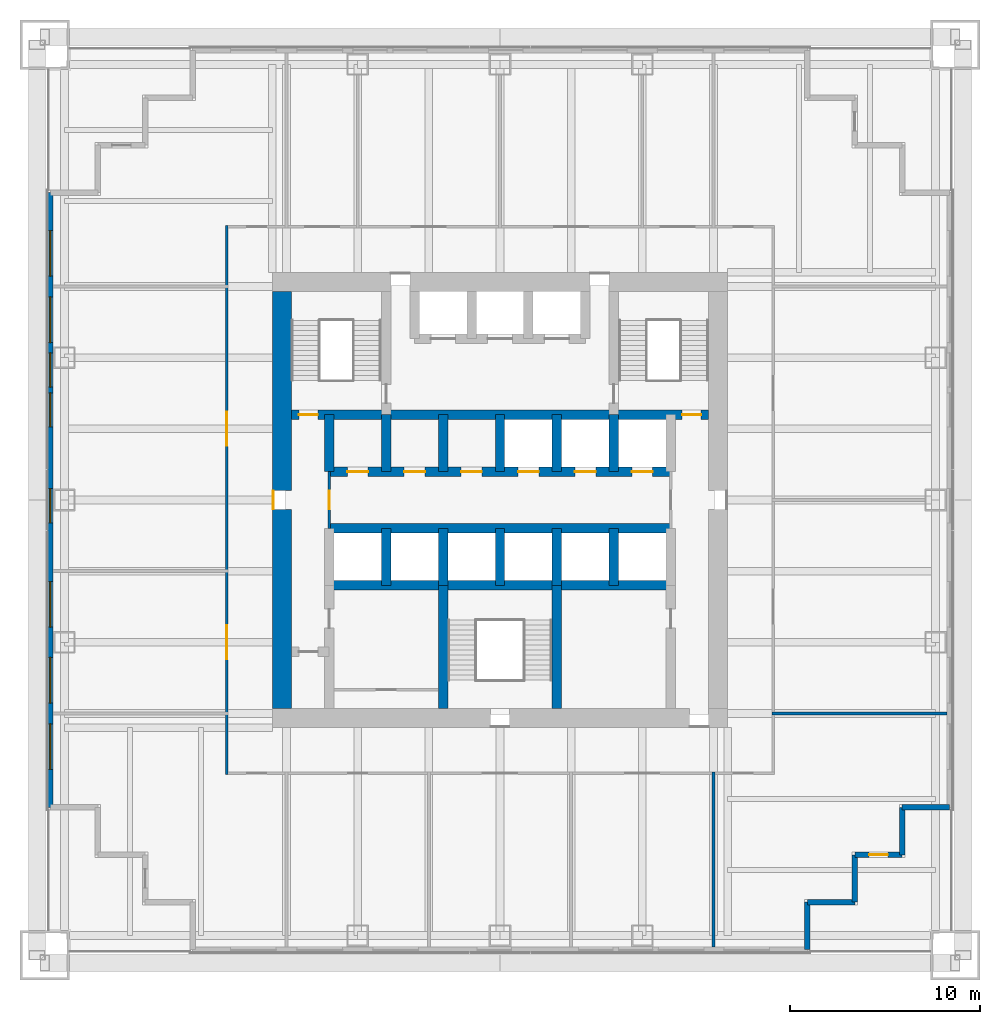
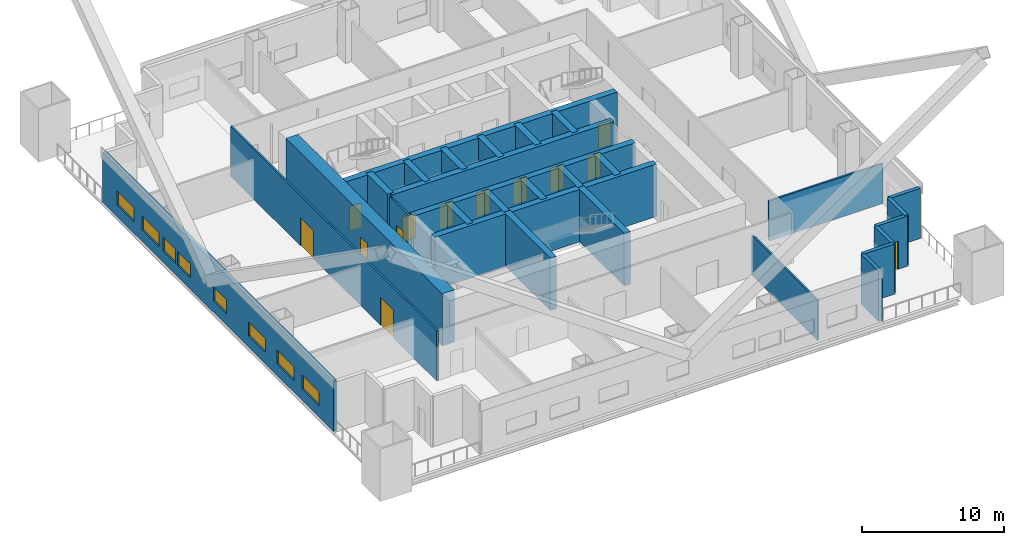
# One storey, part 3 of 7: 29 walls, 13 doors, 8 windows, 21 openings.
"""IFC4 building model written with IfcOpenShell, lengths in metres."""

from ifc_helpers import new_model, si_unit, direction, frame, frame_2d, origin, place, context, subcontext, project, spatial, rectangle, extrude, material, layer, layer_set, type_object, element, fill, save


model = new_model("IFC4")

# Units and contexts
model_context = context("Model", 3, precision=1e-05, world=origin(), true_north=direction((0.0, 1.0)))
body_context = subcontext(model_context, "Body", "Model", "MODEL_VIEW")
ifc_project = project(units=[si_unit("LENGTHUNIT", "METRE"), si_unit("AREAUNIT", "SQUARE_METRE"), si_unit("VOLUMEUNIT", "CUBIC_METRE"), si_unit("PLANEANGLEUNIT", "RADIAN"), si_unit("MASSUNIT", "GRAM", prefix="KILO")], contexts=[model_context])

# Site, building, storey
site_placement = place(None, origin())
site = spatial("IfcSite", under=ifc_project, at=site_placement, CompositionType="ELEMENT")
building_placement = place(site_placement, origin())
building = spatial("IfcBuilding", under=site, at=building_placement, Name="Tarangal Relay Tower", CompositionType="ELEMENT")
storey_placement = place(building_placement, frame((0.0, 0.0, 117.89990234375)))
storey = spatial("IfcBuildingStorey", under=building, at=storey_placement, Name="L23", CompositionType="ELEMENT", Elevation=117.89990234375)

# Wall, openings, doors
ifc_material_1 = material(Name="Concrete fc' 60 MPa", Category="concrete")
ifc_layer_1 = layer(ifc_material_1, 0.5)
ifc_layer_set_1 = layer_set([ifc_layer_1], Name="Core inner wall 500")
wall_type_1 = type_object("IfcWallType", Name="Core inner wall 500", PredefinedType="SHEAR", material=ifc_layer_set_1)
wall_1_placement = place(storey_placement, frame((-11.0, 4.5, 0.0), z_axis=(0.0, 0.0, 1.0), x_axis=(1.0, 0.0, 0.0)))
wall_1 = element("IfcWall", 1, at=wall_1_placement, inside=storey, type_object=wall_type_1, Name="Core wall Y45 L23", PredefinedType="SHEAR", context=body_context, shape_type="SweptSolid", body=[
    extrude(rectangle(XDim=22.0, YDim=0.5, at=frame_2d((11.0, 0.0))), origin(), (0.0, 0.0, 1.0), 4.5),
])
opening_1_placement = place(wall_1_placement, frame((0.39990234375, 0.0, 0.0)))
opening_1 = element("IfcOpeningElement", 2, at=opening_1_placement, cuts=wall_1, Name="Opening FD1", PredefinedType="OPENING", context=body_context, shape_type="SweptSolid", body=[
    extrude(rectangle(XDim=1.0, YDim=2.10009765625, at=frame_2d((0.5, 1.050048828125))), frame((0.0, 0.260009765625, 0.0), z_axis=(0.0, -1.0, 0.0), x_axis=(1.0, 0.0, 0.0)), (0.0, 0.0, 1.0), 0.52001953125),
])
opening_2_placement = place(wall_1_placement, frame((20.60009765625, 0.0, 0.0)))
opening_2 = element("IfcOpeningElement", 3, at=opening_2_placement, cuts=wall_1, Name="Opening FD1", PredefinedType="OPENING", context=body_context, shape_type="SweptSolid", body=[
    extrude(rectangle(XDim=1.0, YDim=2.10009765625, at=frame_2d((0.5, 1.050048828125))), frame((0.0, 0.260009765625, 0.0), z_axis=(0.0, -1.0, 0.0), x_axis=(1.0, 0.0, 0.0)), (0.0, 0.0, 1.0), 0.52001953125),
])
ifc_material_2 = material(Name="Steel door with hardwood frame", Category="steel")
door_type_1 = type_object("IfcDoorType", Name="Fire door 1000 x 2100", OperationType="SINGLE_SWING_LEFT", PredefinedType="DOOR", material=ifc_material_2)
door_1_placement = place(opening_1_placement, origin())
door_1 = element("IfcDoor", 4, at=door_1_placement, inside=storey, type_object=door_type_1, Name="Stair ST-A door from corridor L23", OperationType="SINGLE_SWING_LEFT", OverallHeight=2.10009765625, OverallWidth=1.0, PredefinedType="DOOR", context=body_context, shape_type="SweptSolid", body=[
    extrude(rectangle(XDim=1.0, YDim=2.10009765625, at=frame_2d((0.5, 1.050048828125))), frame((0.0, 0.02490234375, 0.0), z_axis=(0.0, -1.0, 0.0), x_axis=(1.0, 0.0, 0.0)), (0.0, 0.0, 1.0), 0.050048828125),
])
fill(opening_1, door_1)
door_2_placement = place(opening_2_placement, origin())
door_2 = element("IfcDoor", 5, at=door_2_placement, inside=storey, type_object=door_type_1, Name="Stair ST-B door from corridor L23", OperationType="SINGLE_SWING_LEFT", OverallHeight=2.10009765625, OverallWidth=1.0, PredefinedType="DOOR", context=body_context, shape_type="SweptSolid", body=[
    extrude(rectangle(XDim=1.0, YDim=2.10009765625, at=frame_2d((0.5, 1.050048828125))), frame((0.0, 0.02490234375, 0.0), z_axis=(0.0, -1.0, 0.0), x_axis=(1.0, 0.0, 0.0)), (0.0, 0.0, 1.0), 0.050048828125),
])
fill(opening_2, door_2)

wall_2_placement = place(storey_placement, frame((-9.0, 1.5, 0.0), z_axis=(0.0, 0.0, 1.0), x_axis=(1.0, 0.0, 0.0)))
wall_2 = element("IfcWall", 6, at=wall_2_placement, inside=storey, type_object=wall_type_1, Name="Core wall Y15 L23", PredefinedType="SHEAR", context=body_context, shape_type="SweptSolid", body=[
    extrude(rectangle(XDim=18.0, YDim=0.5, at=frame_2d((9.0, 0.0))), origin(), (0.0, 0.0, 1.0), 4.5),
])
opening_3_placement = place(wall_2_placement, frame((9.949951171875, 0.0, 0.0)))
opening_3 = element("IfcOpeningElement", 7, at=opening_3_placement, cuts=wall_2, Name="Opening LD1", PredefinedType="OPENING", context=body_context, shape_type="SweptSolid", body=[
    extrude(rectangle(XDim=1.10009765625, YDim=2.10009765625, at=frame_2d((0.550048828125, 1.050048828125))), frame((0.0, 0.260009765625, 0.0), z_axis=(0.0, -1.0, 0.0), x_axis=(1.0, 0.0, 0.0)), (0.0, 0.0, 1.0), 0.52001953125),
])
opening_4_placement = place(wall_2_placement, frame((12.949951171875, 0.0, 0.0)))
opening_4 = element("IfcOpeningElement", 8, at=opening_4_placement, cuts=wall_2, Name="Opening LD1", PredefinedType="OPENING", context=body_context, shape_type="SweptSolid", body=[
    extrude(rectangle(XDim=1.10009765625, YDim=2.10009765625, at=frame_2d((0.550048828125, 1.050048828125))), frame((0.0, 0.260009765625, 0.0), z_axis=(0.0, -1.0, 0.0), x_axis=(1.0, 0.0, 0.0)), (0.0, 0.0, 1.0), 0.52001953125),
])
opening_5_placement = place(wall_2_placement, frame((15.949951171875, 0.0, 0.0)))
opening_5 = element("IfcOpeningElement", 9, at=opening_5_placement, cuts=wall_2, Name="Opening LD1", PredefinedType="OPENING", context=body_context, shape_type="SweptSolid", body=[
    extrude(rectangle(XDim=1.10009765625, YDim=2.10009765625, at=frame_2d((0.550048828125, 1.050048828125))), frame((0.0, 0.260009765625, 0.0), z_axis=(0.0, -1.0, 0.0), x_axis=(1.0, 0.0, 0.0)), (0.0, 0.0, 1.0), 0.52001953125),
])
opening_6_placement = place(wall_2_placement, frame((0.949951171875, 0.0, 0.0)))
opening_6 = element("IfcOpeningElement", 10, at=opening_6_placement, cuts=wall_2, Name="Opening D4", PredefinedType="OPENING", context=body_context, shape_type="SweptSolid", body=[
    extrude(rectangle(XDim=1.10009765625, YDim=2.10009765625, at=frame_2d((0.550048828125, 1.050048828125))), frame((0.0, 0.260009765625, 0.0), z_axis=(0.0, -1.0, 0.0), x_axis=(1.0, 0.0, 0.0)), (0.0, 0.0, 1.0), 0.52001953125),
])
opening_7_placement = place(wall_2_placement, frame((3.949951171875, 0.0, 0.0)))
opening_7 = element("IfcOpeningElement", 11, at=opening_7_placement, cuts=wall_2, Name="Opening D4", PredefinedType="OPENING", context=body_context, shape_type="SweptSolid", body=[
    extrude(rectangle(XDim=1.10009765625, YDim=2.10009765625, at=frame_2d((0.550048828125, 1.050048828125))), frame((0.0, 0.260009765625, 0.0), z_axis=(0.0, -1.0, 0.0), x_axis=(1.0, 0.0, 0.0)), (0.0, 0.0, 1.0), 0.52001953125),
])
opening_8_placement = place(wall_2_placement, frame((6.949951171875, 0.0, 0.0)))
opening_8 = element("IfcOpeningElement", 12, at=opening_8_placement, cuts=wall_2, Name="Opening D4", PredefinedType="OPENING", context=body_context, shape_type="SweptSolid", body=[
    extrude(rectangle(XDim=1.10009765625, YDim=2.10009765625, at=frame_2d((0.550048828125, 1.050048828125))), frame((0.0, 0.260009765625, 0.0), z_axis=(0.0, -1.0, 0.0), x_axis=(1.0, 0.0, 0.0)), (0.0, 0.0, 1.0), 0.52001953125),
])
door_type_2 = type_object("IfcDoorType", Name="Core room door 1100 x 2100", OperationType="SINGLE_SWING_RIGHT", PredefinedType="DOOR", material=ifc_material_2)
door_3_placement = place(opening_6_placement, origin())
door_3 = element("IfcDoor", 13, at=door_3_placement, inside=storey, type_object=door_type_2, Name="Door D4 to staff pantry L23-D1", OperationType="SINGLE_SWING_RIGHT", OverallHeight=2.10009765625, OverallWidth=1.10009765625, PredefinedType="DOOR", context=body_context, shape_type="SweptSolid", body=[
    extrude(rectangle(XDim=1.10009765625, YDim=2.10009765625, at=frame_2d((0.550048828125, 1.050048828125))), frame((0.0, 0.02490234375, 0.0), z_axis=(0.0, -1.0, 0.0), x_axis=(1.0, 0.0, 0.0)), (0.0, 0.0, 1.0), 0.050048828125),
])
fill(opening_6, door_3)
door_4_placement = place(opening_7_placement, origin())
door_4 = element("IfcDoor", 14, at=door_4_placement, inside=storey, type_object=door_type_2, Name="Door D4 to staff wc L23-D2", OperationType="SINGLE_SWING_RIGHT", OverallHeight=2.10009765625, OverallWidth=1.10009765625, PredefinedType="DOOR", context=body_context, shape_type="SweptSolid", body=[
    extrude(rectangle(XDim=1.10009765625, YDim=2.10009765625, at=frame_2d((0.550048828125, 1.050048828125))), frame((0.0, 0.02490234375, 0.0), z_axis=(0.0, -1.0, 0.0), x_axis=(1.0, 0.0, 0.0)), (0.0, 0.0, 1.0), 0.050048828125),
])
fill(opening_7, door_4)
door_5_placement = place(opening_8_placement, origin())
door_5 = element("IfcDoor", 15, at=door_5_placement, inside=storey, type_object=door_type_2, Name="Door D4 to cleaner's store L23-D3", OperationType="SINGLE_SWING_RIGHT", OverallHeight=2.10009765625, OverallWidth=1.10009765625, PredefinedType="DOOR", context=body_context, shape_type="SweptSolid", body=[
    extrude(rectangle(XDim=1.10009765625, YDim=2.10009765625, at=frame_2d((0.550048828125, 1.050048828125))), frame((0.0, 0.02490234375, 0.0), z_axis=(0.0, -1.0, 0.0), x_axis=(1.0, 0.0, 0.0)), (0.0, 0.0, 1.0), 0.050048828125),
])
fill(opening_8, door_5)
door_type_3 = type_object("IfcDoorType", Name="Lift landing door 1100 x 2100", OperationType="SLIDING_TO_LEFT", PredefinedType="DOOR", material=ifc_material_2)
door_6_placement = place(opening_3_placement, origin())
door_6 = element("IfcDoor", 16, at=door_6_placement, inside=storey, type_object=door_type_3, Name="Lift T1 landing door L23", OperationType="SLIDING_TO_LEFT", OverallHeight=2.10009765625, OverallWidth=1.10009765625, PredefinedType="DOOR", context=body_context, shape_type="SweptSolid", body=[
    extrude(rectangle(XDim=1.10009765625, YDim=2.10009765625, at=frame_2d((0.550048828125, 1.050048828125))), frame((0.0, 0.02490234375, 0.0), z_axis=(0.0, -1.0, 0.0), x_axis=(1.0, 0.0, 0.0)), (0.0, 0.0, 1.0), 0.050048828125),
])
fill(opening_3, door_6)
door_7_placement = place(opening_4_placement, origin())
door_7 = element("IfcDoor", 17, at=door_7_placement, inside=storey, type_object=door_type_3, Name="Lift T2 landing door L23", OperationType="SLIDING_TO_LEFT", OverallHeight=2.10009765625, OverallWidth=1.10009765625, PredefinedType="DOOR", context=body_context, shape_type="SweptSolid", body=[
    extrude(rectangle(XDim=1.10009765625, YDim=2.10009765625, at=frame_2d((0.550048828125, 1.050048828125))), frame((0.0, 0.02490234375, 0.0), z_axis=(0.0, -1.0, 0.0), x_axis=(1.0, 0.0, 0.0)), (0.0, 0.0, 1.0), 0.050048828125),
])
fill(opening_4, door_7)
door_8_placement = place(opening_5_placement, origin())
door_8 = element("IfcDoor", 18, at=door_8_placement, inside=storey, type_object=door_type_3, Name="Lift T3 landing door L23", OperationType="SLIDING_TO_LEFT", OverallHeight=2.10009765625, OverallWidth=1.10009765625, PredefinedType="DOOR", context=body_context, shape_type="SweptSolid", body=[
    extrude(rectangle(XDim=1.10009765625, YDim=2.10009765625, at=frame_2d((0.550048828125, 1.050048828125))), frame((0.0, 0.02490234375, 0.0), z_axis=(0.0, -1.0, 0.0), x_axis=(1.0, 0.0, 0.0)), (0.0, 0.0, 1.0), 0.050048828125),
])
fill(opening_5, door_8)

# Walls
for number, where, z_axis, x_axis, name in (
    (19, (-9.0, -1.5, 0.0), (0.0, 0.0, 1.0), (1.0, 0.0, 0.0), "Core wall YM15 L23"),
    (20, (-9.0, -4.5, 0.0), (0.0, 0.0, 1.0), (1.0, 0.0, 0.0), "Core wall YM45 L23"),
):
    element("IfcWall", number, at=place(storey_placement, frame(where, z_axis=z_axis, x_axis=x_axis)), inside=storey, type_object=wall_type_1, Name=name, PredefinedType="SHEAR", context=body_context, shape_type="SweptSolid", body=[
        extrude(rectangle(XDim=18.0, YDim=0.5, at=frame_2d((9.0, 0.0))), origin(), (0.0, 0.0, 1.0), 4.5),
    ])
for number, where, z_axis, x_axis, name in (
    (21, (-9.0, 1.5, 0.0), (0.0, 0.0, 1.0), (0.0, 1.0, 0.0), "Core wall XM9N L23"),
    (22, (-6.0, 1.5, 0.0), (0.0, 0.0, 1.0), (0.0, 1.0, 0.0), "Core wall XM6N L23"),
    (23, (-3.0, 1.5, 0.0), (0.0, 0.0, 1.0), (0.0, 1.0, 0.0), "Core wall XM3N L23"),
    (24, (0.0, 1.5, 0.0), (0.0, 0.0, 1.0), (0.0, 1.0, 0.0), "Core wall X0N L23"),
    (25, (3.0, 1.5, 0.0), (0.0, 0.0, 1.0), (0.0, 1.0, 0.0), "Core wall X3N L23"),
    (26, (6.0, 1.5, 0.0), (0.0, 0.0, 1.0), (0.0, 1.0, 0.0), "Core wall X6N L23"),
    (27, (-6.0, -4.5, 0.0), (0.0, 0.0, 1.0), (0.0, 1.0, 0.0), "Core wall XM6S L23"),
    (28, (-3.0, -4.5, 0.0), (0.0, 0.0, 1.0), (0.0, 1.0, 0.0), "Core wall XM3S L23"),
    (29, (0.0, -4.5, 0.0), (0.0, 0.0, 1.0), (0.0, 1.0, 0.0), "Core wall X0S L23"),
    (30, (3.0, -4.5, 0.0), (0.0, 0.0, 1.0), (0.0, 1.0, 0.0), "Core wall X3S L23"),
    (31, (6.0, -4.5, 0.0), (0.0, 0.0, 1.0), (0.0, 1.0, 0.0), "Core wall X6S L23"),
):
    element("IfcWall", number, at=place(storey_placement, frame(where, z_axis=z_axis, x_axis=x_axis)), inside=storey, type_object=wall_type_1, Name=name, PredefinedType="SHEAR", context=body_context, shape_type="SweptSolid", body=[
        extrude(rectangle(XDim=3.0, YDim=0.5, at=frame_2d((1.5, 0.0))), origin(), (0.0, 0.0, 1.0), 4.5),
    ])
for number, where, z_axis, x_axis, name in (
    (32, (-3.0, -11.0, 0.0), (0.0, 0.0, 1.0), (0.0, 1.0, 0.0), "Core wall XM3W L23"),
    (33, (3.0, -11.0, 0.0), (0.0, 0.0, 1.0), (0.0, 1.0, 0.0), "Core wall X3W L23"),
):
    element("IfcWall", number, at=place(storey_placement, frame(where, z_axis=z_axis, x_axis=x_axis)), inside=storey, type_object=wall_type_1, Name=name, PredefinedType="SHEAR", context=body_context, shape_type="SweptSolid", body=[
        extrude(rectangle(XDim=6.5, YDim=0.5, at=frame_2d((3.25, 0.0))), origin(), (0.0, 0.0, 1.0), 4.5),
    ])

# Wall, opening, door
ifc_layer_2 = layer(ifc_material_1, 1.0)
ifc_layer_set_2 = layer_set([ifc_layer_2], Name="Core wall 1000")
wall_type_2 = type_object("IfcWallType", Name="Core wall 1000", PredefinedType="SHEAR", material=ifc_layer_set_2)
wall_3_placement = place(storey_placement, frame((-11.5, -11.0, 0.0), z_axis=(0.0, 0.0, 1.0), x_axis=(0.0, 1.0, 0.0)))
wall_3 = element("IfcWall", 34, at=wall_3_placement, inside=storey, type_object=wall_type_2, Name="Core wall W L23", PredefinedType="SHEAR", context=body_context, shape_type="SweptSolid", body=[
    extrude(rectangle(XDim=22.0, YDim=1.0, at=frame_2d((11.0, 0.0))), origin(), (0.0, 0.0, 1.0), 4.5),
])
opening_9_placement = place(wall_3_placement, frame((10.5, 0.0, 0.0)))
opening_9 = element("IfcOpeningElement", 35, at=opening_9_placement, cuts=wall_3, Name="Opening FD3", PredefinedType="OPENING", context=body_context, shape_type="SweptSolid", body=[
    extrude(rectangle(XDim=1.0, YDim=2.39990234375, at=frame_2d((0.5, 1.199951171875))), frame((0.0, 0.510009765625, 0.0), z_axis=(0.0, -1.0, 0.0), x_axis=(1.0, 0.0, 0.0)), (0.0, 0.0, 1.0), 1.02001953125),
])
door_type_4 = type_object("IfcDoorType", Name="Fire door 1000 x 2400 core entry", OperationType="SINGLE_SWING_RIGHT", PredefinedType="DOOR", material=ifc_material_2)
door_9_placement = place(opening_9_placement, origin())
door_9 = element("IfcDoor", 36, at=door_9_placement, inside=storey, type_object=door_type_4, Name="Core entry door west L23", OperationType="SINGLE_SWING_RIGHT", OverallHeight=2.39990234375, OverallWidth=1.0, PredefinedType="DOOR", context=body_context, shape_type="SweptSolid", body=[
    extrude(rectangle(XDim=1.0, YDim=2.39990234375, at=frame_2d((0.5, 1.199951171875))), frame((0.0, 0.48486328125, 0.0), z_axis=(0.0, -1.0, 0.0), x_axis=(1.0, 0.0, 0.0)), (0.0, 0.0, 1.0), 0.050048828125),
])
fill(opening_9, door_9)

# Walls
ifc_material_3 = material(Name="Insulated precast concrete fc' 40 MPa", Category="concrete")
ifc_layer_3 = layer(ifc_material_3, 0.300048828125)
ifc_layer_set_3 = layer_set([ifc_layer_3], Name="Insulated precast concrete fc' 40 MPa")
wall_type_3 = type_object("IfcWallType", Name="Facade wall precast 300", PredefinedType="SOLIDWALL", material=ifc_layer_set_3)
for number, where, z_axis, x_axis, name in (
    (37, (23.699951171875, -16.199951171875, 0.0), (0.0, 0.0, 1.0), (-1.0, 0.0, 0.0), "Facade wall E facade L23"),
    (38, (21.199951171875, -16.199951171875, 0.0), (0.0, 0.0, 1.0), (0.0, -1.0, 0.0), "Facade wall E facade L23"),
):
    element("IfcWall", number, at=place(storey_placement, frame(where, z_axis=z_axis, x_axis=x_axis)), inside=storey, type_object=wall_type_3, Name=name, PredefinedType="SOLIDWALL", context=body_context, shape_type="SweptSolid", body=[
        extrude(rectangle(XDim=2.5, YDim=0.300048828125, at=frame_2d((1.25, 0.0))), origin(), (0.0, 0.0, 1.0), 4.300048828125),
    ])

# Wall, opening, door
wall_4_placement = place(storey_placement, frame((21.199951171875, -18.699951171875, 0.0), z_axis=(0.0, 0.0, 1.0), x_axis=(-1.0, 0.0, 0.0)))
wall_4 = element("IfcWall", 39, at=wall_4_placement, inside=storey, type_object=wall_type_3, Name="Facade wall E facade L23", PredefinedType="SOLIDWALL", context=body_context, shape_type="SweptSolid", body=[
    extrude(rectangle(XDim=2.5, YDim=0.300048828125, at=frame_2d((1.25, 0.0))), origin(), (0.0, 0.0, 1.0), 4.300048828125),
])
opening_10_placement = place(wall_4_placement, frame((0.75, 0.0, 0.0)))
opening_10 = element("IfcOpeningElement", 40, at=opening_10_placement, cuts=wall_4, Name="Opening TD1", PredefinedType="OPENING", context=body_context, shape_type="SweptSolid", body=[
    extrude(rectangle(XDim=1.0, YDim=2.39990234375, at=frame_2d((0.5, 1.199951171875))), frame((0.0, 0.159912109375, 0.0), z_axis=(0.0, -1.0, 0.0), x_axis=(1.0, 0.0, 0.0)), (0.0, 0.0, 1.0), 0.320068359375),
])
ifc_material_4 = material(Name="Aluminium glazed door", Category="aluminium")
door_type_5 = type_object("IfcDoorType", Name="Terrace door 1000 x 2400", OperationType="SINGLE_SWING_RIGHT", PredefinedType="DOOR", material=ifc_material_4)
door_10_placement = place(opening_10_placement, origin())
door_10 = element("IfcDoor", 41, at=door_10_placement, inside=storey, type_object=door_type_5, Name="Terrace door TD1 SE L23", OperationType="SINGLE_SWING_RIGHT", OverallHeight=2.39990234375, OverallWidth=1.0, PredefinedType="DOOR", context=body_context, shape_type="SweptSolid", body=[
    extrude(rectangle(XDim=1.0, YDim=2.39990234375, at=frame_2d((0.5, 1.199951171875))), frame((0.0, 0.02490234375, 0.0), z_axis=(0.0, -1.0, 0.0), x_axis=(1.0, 0.0, 0.0)), (0.0, 0.0, 1.0), 0.050048828125),
])
fill(opening_10, door_10)

# Walls
for number, where, z_axis, x_axis, name in (
    (42, (18.699951171875, -18.699951171875, 0.0), (0.0, 0.0, 1.0), (0.0, -1.0, 0.0), "Facade wall E facade L23"),
    (43, (18.699951171875, -21.199951171875, 0.0), (0.0, 0.0, 1.0), (-1.0, 0.0, 0.0), "Facade wall E facade L23"),
    (44, (16.199951171875, -21.199951171875, 0.0), (0.0, 0.0, 1.0), (0.0, -1.0, 0.0), "Facade wall E facade L23"),
):
    element("IfcWall", number, at=place(storey_placement, frame(where, z_axis=z_axis, x_axis=x_axis)), inside=storey, type_object=wall_type_3, Name=name, PredefinedType="SOLIDWALL", context=body_context, shape_type="SweptSolid", body=[
        extrude(rectangle(XDim=2.5, YDim=0.300048828125, at=frame_2d((1.25, 0.0))), origin(), (0.0, 0.0, 1.0), 4.300048828125),
    ])

# Wall, openings, windows
wall_5_placement = place(storey_placement, frame((-23.699951171875, -16.199951171875, 0.0), z_axis=(0.0, 0.0, 1.0), x_axis=(0.0, 1.0, 0.0)))
wall_5 = element("IfcWall", 45, at=wall_5_placement, inside=storey, type_object=wall_type_3, Name="Facade wall W facade L23", PredefinedType="SOLIDWALL", context=body_context, shape_type="SweptSolid", body=[
    extrude(rectangle(XDim=32.39990234375, YDim=0.300048828125, at=frame_2d((16.199951171875, 0.0))), origin(), (0.0, 0.0, 1.0), 4.300048828125),
])
opening_11_placement = place(wall_5_placement, frame((2.0, 0.0, 1.0)))
opening_11 = element("IfcOpeningElement", 46, at=opening_11_placement, cuts=wall_5, Name="Opening WN1", PredefinedType="OPENING", context=body_context, shape_type="SweptSolid", body=[
    extrude(rectangle(XDim=2.39990234375, YDim=1.199951171875, at=frame_2d((1.199951171875, 0.60009765625))), frame((0.0, 0.159912109375, 0.0), z_axis=(0.0, -1.0, 0.0), x_axis=(1.0, 0.0, 0.0)), (0.0, 0.0, 1.0), 0.320068359375),
])
opening_12_placement = place(wall_5_placement, frame((5.5, 0.0, 1.0)))
opening_12 = element("IfcOpeningElement", 47, at=opening_12_placement, cuts=wall_5, Name="Opening WN1", PredefinedType="OPENING", context=body_context, shape_type="SweptSolid", body=[
    extrude(rectangle(XDim=2.39990234375, YDim=1.199951171875, at=frame_2d((1.199951171875, 0.60009765625))), frame((0.0, 0.159912109375, 0.0), z_axis=(0.0, -1.0, 0.0), x_axis=(1.0, 0.0, 0.0)), (0.0, 0.0, 1.0), 0.320068359375),
])
opening_13_placement = place(wall_5_placement, frame((9.5, 0.0, 1.0)))
opening_13 = element("IfcOpeningElement", 48, at=opening_13_placement, cuts=wall_5, Name="Opening WN1", PredefinedType="OPENING", context=body_context, shape_type="SweptSolid", body=[
    extrude(rectangle(XDim=2.39990234375, YDim=1.199951171875, at=frame_2d((1.199951171875, 0.60009765625))), frame((0.0, 0.159912109375, 0.0), z_axis=(0.0, -1.0, 0.0), x_axis=(1.0, 0.0, 0.0)), (0.0, 0.0, 1.0), 0.320068359375),
])
opening_14_placement = place(wall_5_placement, frame((15.0, 0.0, 1.0)))
opening_14 = element("IfcOpeningElement", 49, at=opening_14_placement, cuts=wall_5, Name="Opening WN5", PredefinedType="OPENING", context=body_context, shape_type="SweptSolid", body=[
    extrude(rectangle(XDim=1.800048828125, YDim=1.199951171875, at=frame_2d((0.89990234375, 0.60009765625))), frame((0.0, 0.159912109375, 0.0), z_axis=(0.0, -1.0, 0.0), x_axis=(1.0, 0.0, 0.0)), (0.0, 0.0, 1.0), 0.320068359375),
])
opening_15_placement = place(wall_5_placement, frame((20.050048828125, 0.0, 1.0)))
opening_15 = element("IfcOpeningElement", 50, at=opening_15_placement, cuts=wall_5, Name="Opening WN5", PredefinedType="OPENING", context=body_context, shape_type="SweptSolid", body=[
    extrude(rectangle(XDim=1.800048828125, YDim=1.199951171875, at=frame_2d((0.89990234375, 0.60009765625))), frame((0.0, 0.159912109375, 0.0), z_axis=(0.0, -1.0, 0.0), x_axis=(1.0, 0.0, 0.0)), (0.0, 0.0, 1.0), 0.320068359375),
])
opening_16_placement = place(wall_5_placement, frame((22.14990234375, 0.0, 1.0)))
opening_16 = element("IfcOpeningElement", 51, at=opening_16_placement, cuts=wall_5, Name="Opening WN5", PredefinedType="OPENING", context=body_context, shape_type="SweptSolid", body=[
    extrude(rectangle(XDim=1.800048828125, YDim=1.199951171875, at=frame_2d((0.89990234375, 0.60009765625))), frame((0.0, 0.159912109375, 0.0), z_axis=(0.0, -1.0, 0.0), x_axis=(1.0, 0.0, 0.0)), (0.0, 0.0, 1.0), 0.320068359375),
])
opening_17_placement = place(wall_5_placement, frame((24.5, 0.0, 1.0)))
opening_17 = element("IfcOpeningElement", 52, at=opening_17_placement, cuts=wall_5, Name="Opening WN1", PredefinedType="OPENING", context=body_context, shape_type="SweptSolid", body=[
    extrude(rectangle(XDim=2.39990234375, YDim=1.199951171875, at=frame_2d((1.199951171875, 0.60009765625))), frame((0.0, 0.159912109375, 0.0), z_axis=(0.0, -1.0, 0.0), x_axis=(1.0, 0.0, 0.0)), (0.0, 0.0, 1.0), 0.320068359375),
])
opening_18_placement = place(wall_5_placement, frame((28.0, 0.0, 1.0)))
opening_18 = element("IfcOpeningElement", 53, at=opening_18_placement, cuts=wall_5, Name="Opening WN1", PredefinedType="OPENING", context=body_context, shape_type="SweptSolid", body=[
    extrude(rectangle(XDim=2.39990234375, YDim=1.199951171875, at=frame_2d((1.199951171875, 0.60009765625))), frame((0.0, 0.159912109375, 0.0), z_axis=(0.0, -1.0, 0.0), x_axis=(1.0, 0.0, 0.0)), (0.0, 0.0, 1.0), 0.320068359375),
])
ifc_material_5 = material(Name="Dark tinted double glazing in black aluminium frame", Category="aluminium")
window_type_1 = type_object("IfcWindowType", Name="Ribbon window 1800 x 1200", PartitioningType="SINGLE_PANEL", PredefinedType="WINDOW", material=ifc_material_5)
window_1_placement = place(opening_14_placement, origin())
window_1 = element("IfcWindow", 54, at=window_1_placement, inside=storey, type_object=window_type_1, Name="Ribbon window WN5 W facade L23", OverallHeight=1.199951171875, OverallWidth=1.800048828125, PartitioningType="SINGLE_PANEL", PredefinedType="WINDOW", context=body_context, shape_type="SweptSolid", body=[
    extrude(rectangle(XDim=1.800048828125, YDim=1.199951171875, at=frame_2d((0.89990234375, 0.60009765625))), frame((0.0, 0.030029296875, 0.0), z_axis=(0.0, -1.0, 0.0), x_axis=(1.0, 0.0, 0.0)), (0.0, 0.0, 1.0), 0.06005859375),
])
fill(opening_14, window_1)
window_2_placement = place(opening_15_placement, origin())
window_2 = element("IfcWindow", 55, at=window_2_placement, inside=storey, type_object=window_type_1, Name="Ribbon window WN5 W facade L23", OverallHeight=1.199951171875, OverallWidth=1.800048828125, PartitioningType="SINGLE_PANEL", PredefinedType="WINDOW", context=body_context, shape_type="SweptSolid", body=[
    extrude(rectangle(XDim=1.800048828125, YDim=1.199951171875, at=frame_2d((0.89990234375, 0.60009765625))), frame((0.0, 0.030029296875, 0.0), z_axis=(0.0, -1.0, 0.0), x_axis=(1.0, 0.0, 0.0)), (0.0, 0.0, 1.0), 0.06005859375),
])
fill(opening_15, window_2)
window_3_placement = place(opening_16_placement, origin())
window_3 = element("IfcWindow", 56, at=window_3_placement, inside=storey, type_object=window_type_1, Name="Ribbon window WN5 W facade L23", OverallHeight=1.199951171875, OverallWidth=1.800048828125, PartitioningType="SINGLE_PANEL", PredefinedType="WINDOW", context=body_context, shape_type="SweptSolid", body=[
    extrude(rectangle(XDim=1.800048828125, YDim=1.199951171875, at=frame_2d((0.89990234375, 0.60009765625))), frame((0.0, 0.030029296875, 0.0), z_axis=(0.0, -1.0, 0.0), x_axis=(1.0, 0.0, 0.0)), (0.0, 0.0, 1.0), 0.06005859375),
])
fill(opening_16, window_3)
window_type_2 = type_object("IfcWindowType", Name="Ribbon window 2400 x 1200", PartitioningType="SINGLE_PANEL", PredefinedType="WINDOW", material=ifc_material_5)
window_4_placement = place(opening_11_placement, origin())
window_4 = element("IfcWindow", 57, at=window_4_placement, inside=storey, type_object=window_type_2, Name="Ribbon window WN1 W facade L23", OverallHeight=1.199951171875, OverallWidth=2.39990234375, PartitioningType="SINGLE_PANEL", PredefinedType="WINDOW", context=body_context, shape_type="SweptSolid", body=[
    extrude(rectangle(XDim=2.39990234375, YDim=1.199951171875, at=frame_2d((1.199951171875, 0.60009765625))), frame((0.0, 0.030029296875, 0.0), z_axis=(0.0, -1.0, 0.0), x_axis=(1.0, 0.0, 0.0)), (0.0, 0.0, 1.0), 0.06005859375),
])
fill(opening_11, window_4)
window_5_placement = place(opening_12_placement, origin())
window_5 = element("IfcWindow", 58, at=window_5_placement, inside=storey, type_object=window_type_2, Name="Ribbon window WN1 W facade L23", OverallHeight=1.199951171875, OverallWidth=2.39990234375, PartitioningType="SINGLE_PANEL", PredefinedType="WINDOW", context=body_context, shape_type="SweptSolid", body=[
    extrude(rectangle(XDim=2.39990234375, YDim=1.199951171875, at=frame_2d((1.199951171875, 0.60009765625))), frame((0.0, 0.030029296875, 0.0), z_axis=(0.0, -1.0, 0.0), x_axis=(1.0, 0.0, 0.0)), (0.0, 0.0, 1.0), 0.06005859375),
])
fill(opening_12, window_5)
window_6_placement = place(opening_13_placement, origin())
window_6 = element("IfcWindow", 59, at=window_6_placement, inside=storey, type_object=window_type_2, Name="Ribbon window WN1 W facade L23", OverallHeight=1.199951171875, OverallWidth=2.39990234375, PartitioningType="SINGLE_PANEL", PredefinedType="WINDOW", context=body_context, shape_type="SweptSolid", body=[
    extrude(rectangle(XDim=2.39990234375, YDim=1.199951171875, at=frame_2d((1.199951171875, 0.60009765625))), frame((0.0, 0.030029296875, 0.0), z_axis=(0.0, -1.0, 0.0), x_axis=(1.0, 0.0, 0.0)), (0.0, 0.0, 1.0), 0.06005859375),
])
fill(opening_13, window_6)
window_7_placement = place(opening_17_placement, origin())
window_7 = element("IfcWindow", 60, at=window_7_placement, inside=storey, type_object=window_type_2, Name="Ribbon window WN1 W facade L23", OverallHeight=1.199951171875, OverallWidth=2.39990234375, PartitioningType="SINGLE_PANEL", PredefinedType="WINDOW", context=body_context, shape_type="SweptSolid", body=[
    extrude(rectangle(XDim=2.39990234375, YDim=1.199951171875, at=frame_2d((1.199951171875, 0.60009765625))), frame((0.0, 0.030029296875, 0.0), z_axis=(0.0, -1.0, 0.0), x_axis=(1.0, 0.0, 0.0)), (0.0, 0.0, 1.0), 0.06005859375),
])
fill(opening_17, window_7)
window_8_placement = place(opening_18_placement, origin())
window_8 = element("IfcWindow", 61, at=window_8_placement, inside=storey, type_object=window_type_2, Name="Ribbon window WN1 W facade L23", OverallHeight=1.199951171875, OverallWidth=2.39990234375, PartitioningType="SINGLE_PANEL", PredefinedType="WINDOW", context=body_context, shape_type="SweptSolid", body=[
    extrude(rectangle(XDim=2.39990234375, YDim=1.199951171875, at=frame_2d((1.199951171875, 0.60009765625))), frame((0.0, 0.030029296875, 0.0), z_axis=(0.0, -1.0, 0.0), x_axis=(1.0, 0.0, 0.0)), (0.0, 0.0, 1.0), 0.06005859375),
])
fill(opening_18, window_8)

# Wall
ifc_material_6 = material(Name="Gypsum board on steel studs", Category="steel")
ifc_layer_4 = layer(ifc_material_6, 0.14990234375)
ifc_layer_set_4 = layer_set([ifc_layer_4], Name="Partition 150")
wall_type_4 = type_object("IfcWallType", Name="Partition 150", PredefinedType="PARTITIONING", material=ifc_layer_set_4)
wall_6_placement = place(storey_placement, frame((14.324951171875, -11.25, 0.0), z_axis=(0.0, 0.0, 1.0), x_axis=(1.0, 0.0, 0.0)))
element("IfcWall", 62, at=wall_6_placement, inside=storey, type_object=wall_type_4, Name="Partition PT1 L23", PredefinedType="PARTITIONING", context=body_context, shape_type="SweptSolid", body=[
    extrude(rectangle(XDim=9.22509765625, YDim=0.14990234375, at=frame_2d((4.612548828125, 0.0))), origin(), (0.0, 0.0, 1.0), 3.431396484375),
])

# Wall, openings, doors
wall_7_placement = place(storey_placement, frame((-14.39990234375, -14.47509765625, 0.0), z_axis=(0.0, 0.0, 1.0), x_axis=(0.0, 1.0, 0.0)))
wall_7 = element("IfcWall", 63, at=wall_7_placement, inside=storey, type_object=wall_type_4, Name="Partition PT1 L23", PredefinedType="PARTITIONING", context=body_context, shape_type="SweptSolid", body=[
    extrude(rectangle(XDim=28.9501953125, YDim=0.14990234375, at=frame_2d((14.47509765625, 0.0))), origin(), (0.0, 0.0, 1.0), 4.300048828125),
])
opening_19_placement = place(wall_7_placement, frame((6.074951171875, 0.0, 0.0)))
opening_19 = element("IfcOpeningElement", 64, at=opening_19_placement, cuts=wall_7, Name="Opening DD1", PredefinedType="OPENING", context=body_context, shape_type="SweptSolid", body=[
    extrude(rectangle(XDim=1.800048828125, YDim=2.39990234375, at=frame_2d((0.89990234375, 1.199951171875))), frame((0.0, 0.0849609375, 0.0), z_axis=(0.0, -1.0, 0.0), x_axis=(1.0, 0.0, 0.0)), (0.0, 0.0, 1.0), 0.169921875),
])
opening_20_placement = place(wall_7_placement, frame((17.324951171875, 0.0, 0.0)))
opening_20 = element("IfcOpeningElement", 65, at=opening_20_placement, cuts=wall_7, Name="Opening DD1", PredefinedType="OPENING", context=body_context, shape_type="SweptSolid", body=[
    extrude(rectangle(XDim=1.800048828125, YDim=2.39990234375, at=frame_2d((0.89990234375, 1.199951171875))), frame((0.0, 0.0849609375, 0.0), z_axis=(0.0, -1.0, 0.0), x_axis=(1.0, 0.0, 0.0)), (0.0, 0.0, 1.0), 0.169921875),
])
door_type_6 = type_object("IfcDoorType", Name="Equipment double door 1800 x 2400", OperationType="DOUBLE_DOOR_SINGLE_SWING", PredefinedType="DOOR", material=ifc_material_2)
door_11_placement = place(opening_19_placement, origin())
door_11 = element("IfcDoor", 66, at=door_11_placement, inside=storey, type_object=door_type_6, Name="Door DD1 to fibre distribution room L23-11", OperationType="DOUBLE_DOOR_SINGLE_SWING", OverallHeight=2.39990234375, OverallWidth=1.800048828125, PredefinedType="DOOR", context=body_context, shape_type="SweptSolid", body=[
    extrude(rectangle(XDim=1.800048828125, YDim=2.39990234375, at=frame_2d((0.89990234375, 1.199951171875))), frame((0.0, 0.02490234375, 0.0), z_axis=(0.0, -1.0, 0.0), x_axis=(1.0, 0.0, 0.0)), (0.0, 0.0, 1.0), 0.050048828125),
])
fill(opening_19, door_11)
door_12_placement = place(opening_20_placement, origin())
door_12 = element("IfcDoor", 67, at=door_12_placement, inside=storey, type_object=door_type_6, Name="Door DD1 to telecom equipment room L23-12", OperationType="DOUBLE_DOOR_SINGLE_SWING", OverallHeight=2.39990234375, OverallWidth=1.800048828125, PredefinedType="DOOR", context=body_context, shape_type="SweptSolid", body=[
    extrude(rectangle(XDim=1.800048828125, YDim=2.39990234375, at=frame_2d((0.89990234375, 1.199951171875))), frame((0.0, 0.02490234375, 0.0), z_axis=(0.0, -1.0, 0.0), x_axis=(1.0, 0.0, 0.0)), (0.0, 0.0, 1.0), 0.050048828125),
])
fill(opening_20, door_12)

# Wall
wall_8_placement = place(storey_placement, frame((11.25, -23.550048828125, 0.0), z_axis=(0.0, 0.0, 1.0), x_axis=(0.0, 1.0, 0.0)))
element("IfcWall", 68, at=wall_8_placement, inside=storey, type_object=wall_type_4, Name="Partition PT1 L23", PredefinedType="PARTITIONING", context=body_context, shape_type="SweptSolid", body=[
    extrude(rectangle(XDim=9.22509765625, YDim=0.14990234375, at=frame_2d((4.612548828125, 0.0))), origin(), (0.0, 0.0, 1.0), 3.431396484375),
])

# Wall, opening, door
wall_9_placement = place(storey_placement, frame((-9.0, -1.5, 0.0), z_axis=(0.0, 0.0, 1.0), x_axis=(0.0, 1.0, 0.0)))
wall_9 = element("IfcWall", 69, at=wall_9_placement, inside=storey, type_object=wall_type_4, Name="Partition PT1 L23", PredefinedType="PARTITIONING", context=body_context, shape_type="SweptSolid", body=[
    extrude(rectangle(XDim=3.0, YDim=0.14990234375, at=frame_2d((1.5, 0.0))), origin(), (0.0, 0.0, 1.0), 4.25),
])
opening_21_placement = place(wall_9_placement, frame((1.0, 0.0, 0.0)))
opening_21 = element("IfcOpeningElement", 70, at=opening_21_placement, cuts=wall_9, Name="Opening FD3", PredefinedType="OPENING", context=body_context, shape_type="SweptSolid", body=[
    extrude(rectangle(XDim=1.0, YDim=2.39990234375, at=frame_2d((0.5, 1.199951171875))), frame((0.0, 0.0849609375, 0.0), z_axis=(0.0, -1.0, 0.0), x_axis=(1.0, 0.0, 0.0)), (0.0, 0.0, 1.0), 0.169921875),
])
door_13_placement = place(opening_21_placement, origin())
door_13 = element("IfcDoor", 71, at=door_13_placement, inside=storey, type_object=door_type_4, Name="Lift lobby door FD3 to the west corridor L23", OperationType="SINGLE_SWING_RIGHT", OverallHeight=2.39990234375, OverallWidth=1.0, PredefinedType="DOOR", context=body_context, shape_type="SweptSolid", body=[
    extrude(rectangle(XDim=1.0, YDim=2.39990234375, at=frame_2d((0.5, 1.199951171875))), frame((0.0, 0.02490234375, 0.0), z_axis=(0.0, -1.0, 0.0), x_axis=(1.0, 0.0, 0.0)), (0.0, 0.0, 1.0), 0.050048828125),
])
fill(opening_21, door_13)

save(model, "model.ifc")
